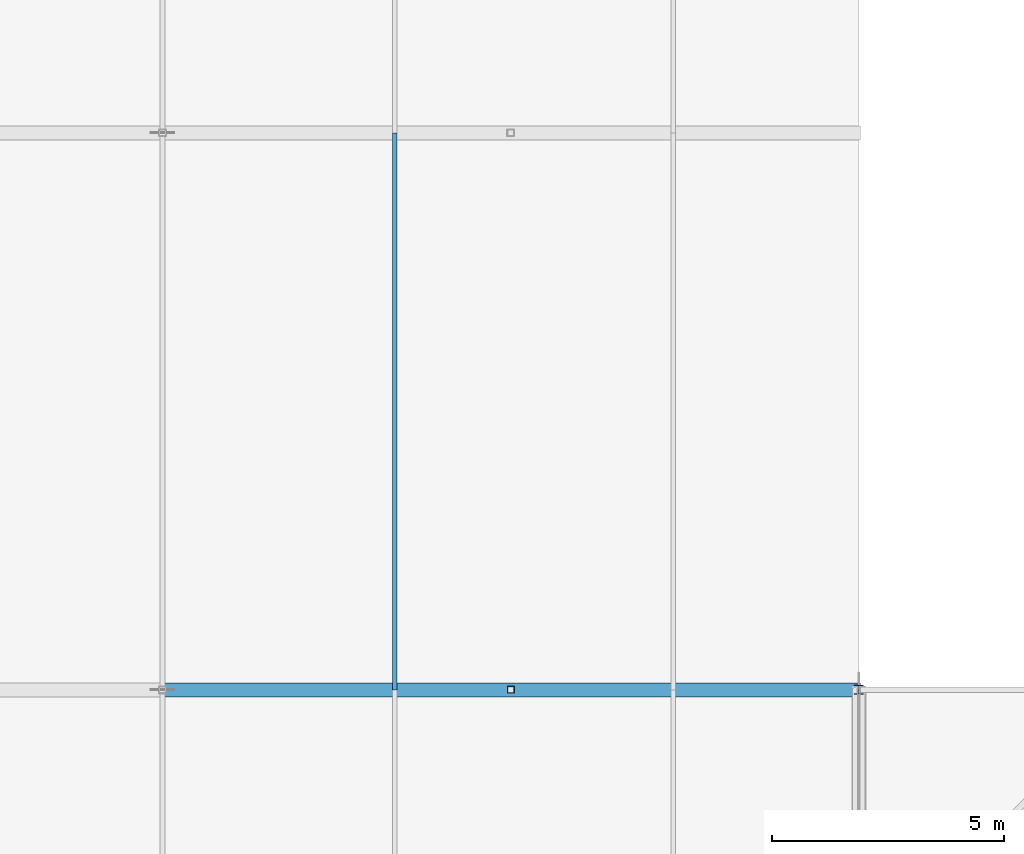
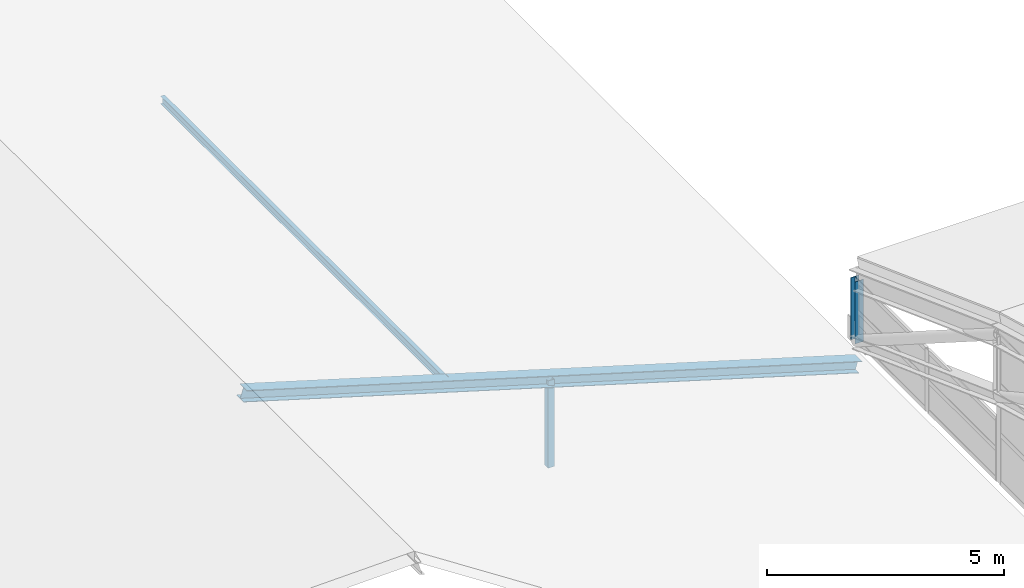
# One storey, part 40 of 204: 4 members.
"""IFC4 building model written with IfcOpenShell, lengths in metres."""

from ifc_helpers import new_model, si_unit, direction, frame, origin, origin_2d, place, context, subcontext, project, spatial, hollow_rectangle, i_section, extrude, material, material_profile, profile_set, type_object, element, save


model = new_model("IFC4")

# Units and contexts
model_context = context("Model", 3, precision=1e-05, world=origin(), true_north=direction((0.0, 1.0)))
body_context = subcontext(model_context, "Body", "Model", "MODEL_VIEW")
ifc_project = project(units=[si_unit("LENGTHUNIT", "METRE"), si_unit("AREAUNIT", "SQUARE_METRE"), si_unit("VOLUMEUNIT", "CUBIC_METRE"), si_unit("PLANEANGLEUNIT", "RADIAN"), si_unit("MASSUNIT", "GRAM", prefix="KILO")], contexts=[model_context])

# Site, building, storey
site_placement = place(None, origin())
site = spatial("IfcSite", under=ifc_project, at=site_placement, CompositionType="ELEMENT")
building_placement = place(site_placement, origin())
building = spatial("IfcBuilding", under=site, at=building_placement, Name="Zilviju Railside Exhibition Hall", CompositionType="ELEMENT")
storey_placement = place(building_placement, frame((0.0, 0.0, 21.0)))
storey = spatial("IfcBuildingStorey", under=building, at=storey_placement, Name="RF", CompositionType="ELEMENT", Elevation=21.0)

# Members
ifc_material_1 = material(Name="Steel S355ML", Category="steel")
ifc_material_profile_1 = material_profile(ifc_material_1, i_section(OverallWidth=0.199951171875, OverallDepth=0.18994140625, WebThickness=0.006591796875, FlangeThickness=0.010009765625, at=origin_2d()), Name="HEA 200")
ifc_profile_set_1 = profile_set([ifc_material_profile_1], Name="Steel S355ML")
member_type_1 = type_object("IfcMemberType", Name="TR-POST-HEA200", PredefinedType="POST", material=ifc_profile_set_1)
member_1_placement = place(storey_placement, frame((78.0, 54.0, -7.800048828125), z_axis=(0.0, 0.0, 1.0), x_axis=(1.0, 0.0, 0.0)))
element("IfcMember", 1, at=member_1_placement, inside=storey, type_object=member_type_1, Name="V1 Parabolic Arch Web Post X=78.0 N9", PredefinedType="POST", context=body_context, shape_type="SweptSolid", body=[
    extrude(i_section(OverallWidth=0.199951171875, OverallDepth=0.18994140625, WebThickness=0.006591796875, FlangeThickness=0.010009765625, at=origin_2d()), origin(), (0.0, 0.0, 1.0), 1.60009765625),
])
ifc_material_2 = material(Name="Steel S355J2", Category="steel")
ifc_material_profile_2 = material_profile(ifc_material_2, hollow_rectangle(XDim=0.14990234375, YDim=0.14990234375, WallThickness=0.008056640625, at=origin_2d()), Name="SHS 150x150x8.0")
ifc_profile_set_2 = profile_set([ifc_material_profile_2], Name="Steel S355J2")
member_type_2 = type_object("IfcMemberType", Name="TR-POST-SHS150", PredefinedType="POST", material=ifc_profile_set_2)
member_2_placement = place(storey_placement, frame((70.5, 54.0, -8.39990234375), z_axis=(0.0, 0.0, 1.0), x_axis=(1.0, 0.0, 0.0)))
element("IfcMember", 2, at=member_2_placement, inside=storey, type_object=member_type_2, Name="Concourse Saddle Queen Post Y=54.0", PredefinedType="POST", context=body_context, shape_type="SweptSolid", body=[
    extrude(hollow_rectangle(XDim=0.14990234375, YDim=0.14990234375, WallThickness=0.008056640625, at=origin_2d()), origin(), (0.0, 0.0, 1.0), 2.25),
])
ifc_material_profile_3 = material_profile(ifc_material_2, i_section(OverallWidth=0.10009765625, OverallDepth=0.199951171875, WebThickness=0.005615234375, FlangeThickness=0.008544921875, at=origin_2d()), Name="IPE 200")
ifc_profile_set_3 = profile_set([ifc_material_profile_3], Name="Steel S355J2")
member_type_3 = type_object("IfcMemberType", Name="TR-PUR-IPE200", PredefinedType="PURLIN", material=ifc_profile_set_3)
member_3_placement = place(storey_placement, frame((68.0, 54.0, -5.360107421875), z_axis=(0.0, 1.0, 0.0), x_axis=(-1.0, 0.0, 0.0)))
element("IfcMember", 3, at=member_3_placement, inside=storey, type_object=member_type_3, Name="Concourse Lantern Purlin X=68.0", PredefinedType="PURLIN", context=body_context, shape_type="SweptSolid", body=[
    extrude(i_section(OverallWidth=0.10009765625, OverallDepth=0.199951171875, WebThickness=0.005615234375, FlangeThickness=0.008544921875, at=origin_2d()), origin(), (0.0, 0.0, 1.0), 12.0),
])
ifc_material_profile_4 = material_profile(ifc_material_2, i_section(OverallWidth=0.300048828125, OverallDepth=0.2900390625, WebThickness=0.008544921875, FlangeThickness=0.013916015625, at=origin_2d()), Name="HEA 300")
ifc_profile_set_4 = profile_set([ifc_material_profile_4], Name="Steel S355J2")
member_type_4 = type_object("IfcMemberType", Name="TR-RAF-HEA300", PredefinedType="RAFTER", material=ifc_profile_set_4)
member_4_placement = place(storey_placement, frame((63.0, 54.0, -3.89990234375), z_axis=(0.957826285221, 0.0, -0.287347885566), x_axis=(0.0, 1.0, 0.0)))
element("IfcMember", 4, at=member_4_placement, inside=storey, type_object=member_type_4, Name="Concourse Saddle East Rafter Y=54.0", PredefinedType="RAFTER", context=body_context, shape_type="SweptSolid", body=[
    extrude(i_section(OverallWidth=0.300048828125, OverallDepth=0.2900390625, WebThickness=0.008544921875, FlangeThickness=0.013916015625, at=origin_2d()), origin(), (0.0, 0.0, 1.0), 15.660400390625),
])

save(model, "model.ifc")
